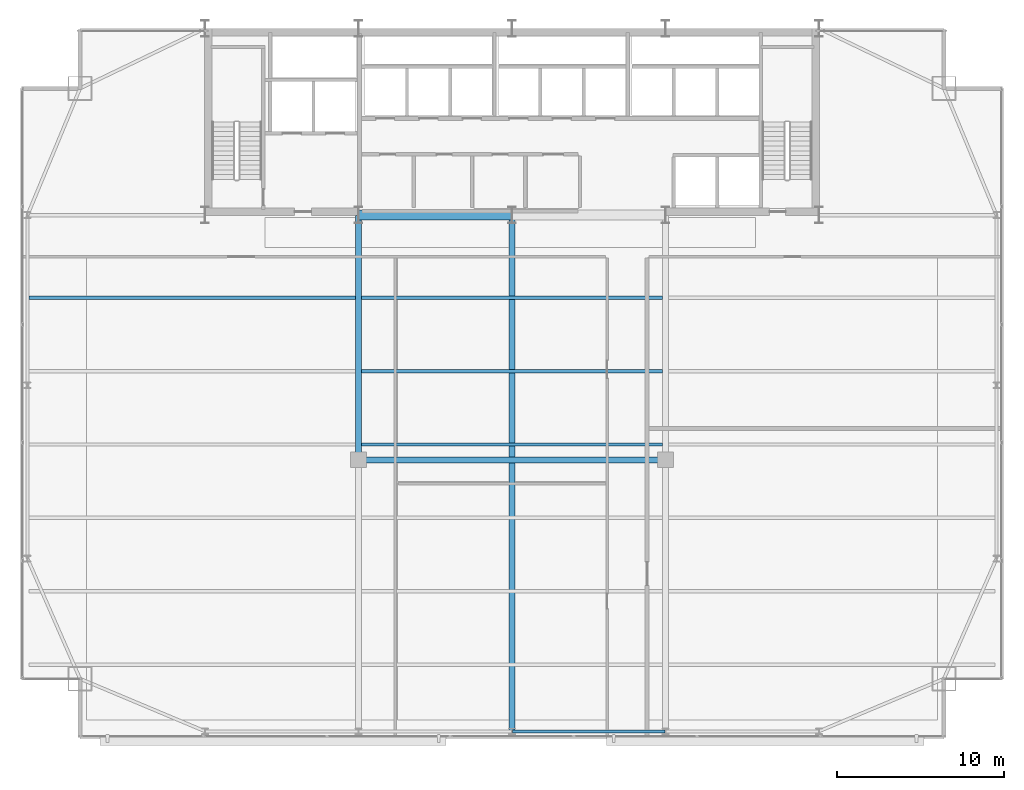
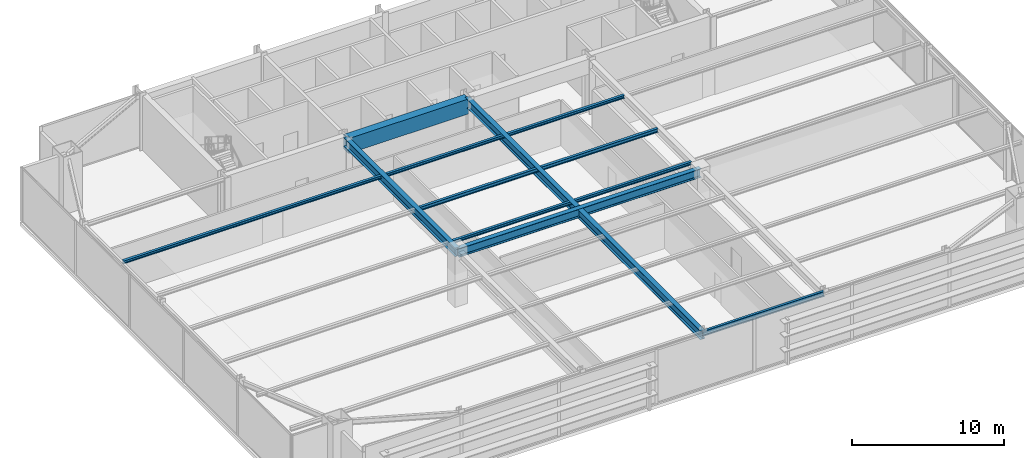
# One storey, part 14 of 32: 9 beams.
"""IFC4 building model written with IfcOpenShell, lengths in metres."""

from ifc_helpers import new_model, si_unit, direction, frame, origin, origin_2d, place, context, subcontext, project, spatial, rectangle, i_section, extrude, source, transform, mapped, material, material_profile, profile_set, type_object, type_shapes, element, save


model = new_model("IFC4")

# Units and contexts
model_context = context("Model", 3, precision=1e-05, world=origin(), true_north=direction((0.0, 1.0)))
body_context = subcontext(model_context, "Body", "Model", "MODEL_VIEW")
ifc_project = project(units=[si_unit("LENGTHUNIT", "METRE"), si_unit("AREAUNIT", "SQUARE_METRE"), si_unit("VOLUMEUNIT", "CUBIC_METRE"), si_unit("PLANEANGLEUNIT", "RADIAN"), si_unit("MASSUNIT", "GRAM", prefix="KILO")], contexts=[model_context])

# Site, building, storey
site_placement = place(None, origin())
site = spatial("IfcSite", under=ifc_project, at=site_placement, CompositionType="ELEMENT")
building_placement = place(site_placement, origin())
building = spatial("IfcBuilding", under=site, at=building_placement, Name="Varnel Quay Broadcast Tower", CompositionType="ELEMENT")
storey_placement = place(building_placement, frame((0.0, 0.0, 98.39990234375)))
storey = spatial("IfcBuildingStorey", under=building, at=storey_placement, Name="L23", CompositionType="ELEMENT", Elevation=98.39990234375)

# Beams
ifc_material_1 = material(Name="Structural Steel CSA G40.21 350W", Category="steel")
ifc_material_profile_1 = material_profile(ifc_material_1, i_section(OverallWidth=0.180908203125, OverallDepth=0.4169921875, WebThickness=0.010986328125, FlangeThickness=0.018310546875, FilletRadius=0.011962890625, at=origin_2d()), Name="W410X85")
ifc_profile_set_1 = profile_set([ifc_material_profile_1], Name="Structural Steel CSA G40.21 350W")
beam_type_1 = type_object("IfcBeamType", Name="Beam_W410X85", PredefinedType="SPANDREL", material=ifc_profile_set_1)
shared_shape_1 = source(origin(), body_context, "Body", "SweptSolid", [
    extrude(i_section(OverallWidth=0.180908203125, OverallDepth=0.4169921875, WebThickness=0.010986328125, FlangeThickness=0.018310546875, FilletRadius=0.011962890625, at=origin_2d()), origin(), (0.0, 0.0, 1.0), 9.159912109375),
])
type_shapes(beam_type_1, [shared_shape_1])
beam_1_placement = place(storey_placement, frame((34.02001953125, 4.64990234375, 4.1416015625), z_axis=(1.0, 0.0, 0.0), x_axis=(0.0, 1.0, 0.0)))
element("IfcBeam", 1, at=beam_1_placement, inside=storey, type_object=beam_type_1, Name="L23 South Spandrel TC-S3-TC-S4", PredefinedType="SPANDREL", context=body_context, shape_type="MappedRepresentation", body=[
    mapped(shared_shape_1, transform((0.0, 0.0, 0.0), x_axis=(1.0, 0.0, 0.0), y_axis=(0.0, 1.0, 0.0), z_axis=(0.0, 0.0, 1.0), scale=1.0)),
])
ifc_material_2 = material(Name="Concrete CSA A23.3 C60/75", Category="concrete")
ifc_material_profile_2 = material_profile(ifc_material_2, rectangle(XDim=0.60009765625, YDim=1.199951171875, at=origin_2d()), Name="RC600X1200")
ifc_profile_set_2 = profile_set([ifc_material_profile_2], Name="Concrete CSA A23.3 C60/75")
beam_type_2 = type_object("IfcBeamType", Name="Beam_RC600X1200", PredefinedType="BEAM", material=ifc_profile_set_2)
shared_shape_2 = source(origin(), body_context, "Body", "SweptSolid", [
    extrude(rectangle(XDim=0.60009765625, YDim=1.199951171875, at=origin_2d()), origin(), (0.0, 0.0, 1.0), 9.159912109375),
])
type_shapes(beam_type_2, [shared_shape_2])
beam_2_placement = place(storey_placement, frame((24.820068359375, 35.60009765625, 3.75), z_axis=(1.0, 0.0, 0.0), x_axis=(0.0, 1.0, 0.0)))
element("IfcBeam", 2, at=beam_2_placement, inside=storey, type_object=beam_type_2, Name="L23 Core Coupling Beam W", PredefinedType="BEAM", context=body_context, shape_type="MappedRepresentation", body=[
    mapped(shared_shape_2, transform((0.0, 0.0, 0.0), x_axis=(1.0, 0.0, 0.0), y_axis=(0.0, 1.0, 0.0), z_axis=(0.0, 0.0, 1.0), scale=1.0)),
])
ifc_material_profile_3 = material_profile(ifc_material_1, i_section(OverallWidth=0.35498046875, OverallDepth=0.695068359375, WebThickness=0.015380859375, FlangeThickness=0.02490234375, FilletRadius=0.01806640625, at=origin_2d()), Name="W690X217")
ifc_profile_set_3 = profile_set([ifc_material_profile_3], Name="Structural Steel CSA G40.21 350W")
beam_type_3 = type_object("IfcBeamType", Name="Girder_W690X217", PredefinedType="BEAM", material=ifc_profile_set_3)
shared_shape_3 = source(origin(), body_context, "Body", "SweptSolid", [
    extrude(i_section(OverallWidth=0.35498046875, OverallDepth=0.695068359375, WebThickness=0.015380859375, FlangeThickness=0.02490234375, FilletRadius=0.01806640625, at=origin_2d()), origin(), (0.0, 0.0, 1.0), 14.630126953125),
])
beam_3_placement = place(storey_placement, frame((24.800048828125, 20.949951171875, 4.002685546875), z_axis=(0.0, 1.0, 0.0), x_axis=(-1.0, 0.0, 0.0)))
element("IfcBeam", 3, at=beam_3_placement, inside=storey, type_object=beam_type_3, Name="L23 Primary Girder IC-01-CC-S2", PredefinedType="BEAM", context=body_context, shape_type="MappedRepresentation", body=[
    mapped(shared_shape_3, transform((0.0, 0.0, 0.0), x_axis=(1.0, 0.0, 0.0), y_axis=(0.0, 1.0, 0.0), z_axis=(0.0, 0.0, 1.0), scale=1.0)),
])
shared_shape_4 = source(origin(), body_context, "Body", "SweptSolid", [
    extrude(i_section(OverallWidth=0.35498046875, OverallDepth=0.695068359375, WebThickness=0.015380859375, FlangeThickness=0.02490234375, FilletRadius=0.01806640625, at=origin_2d()), origin(), (0.0, 0.0, 1.0), 18.35986328125),
])
beam_4_placement = place(storey_placement, frame((24.820068359375, 20.929931640625, 4.002685546875), z_axis=(1.0, 0.0, 0.0), x_axis=(0.0, 1.0, 0.0)))
element("IfcBeam", 4, at=beam_4_placement, inside=storey, type_object=beam_type_3, Name="L23 Interior Spine Girder", PredefinedType="BEAM", context=body_context, shape_type="MappedRepresentation", body=[
    mapped(shared_shape_4, transform((0.0, 0.0, 0.0), x_axis=(1.0, 0.0, 0.0), y_axis=(0.0, 1.0, 0.0), z_axis=(0.0, 0.0, 1.0), scale=1.0)),
])
shared_shape_5 = source(origin(), body_context, "Body", "SweptSolid", [
    extrude(i_section(OverallWidth=0.35498046875, OverallDepth=0.695068359375, WebThickness=0.015380859375, FlangeThickness=0.02490234375, FilletRadius=0.01806640625, at=origin_2d()), origin(), (0.0, 0.0, 1.0), 30.91015625),
])
type_shapes(beam_type_3, [shared_shape_3, shared_shape_4, shared_shape_5])
beam_5_placement = place(storey_placement, frame((34.0, 4.669921875, 4.002685546875), z_axis=(0.0, 1.0, 0.0), x_axis=(-1.0, 0.0, 0.0)))
element("IfcBeam", 5, at=beam_5_placement, inside=storey, type_object=beam_type_3, Name="L23 Central Bay Girder", PredefinedType="BEAM", context=body_context, shape_type="MappedRepresentation", body=[
    mapped(shared_shape_5, transform((0.0, 0.0, 0.0), x_axis=(1.0, 0.0, 0.0), y_axis=(0.0, 1.0, 0.0), z_axis=(0.0, 0.0, 1.0), scale=1.0)),
])
ifc_material_profile_4 = material_profile(ifc_material_1, i_section(OverallWidth=0.202880859375, OverallDepth=0.302978515625, WebThickness=0.007568359375, FlangeThickness=0.01318359375, FilletRadius=0.011962890625, at=origin_2d()), Name="W310X60")
ifc_profile_set_4 = profile_set([ifc_material_profile_4], Name="Structural Steel CSA G40.21 350W")
beam_type_4 = type_object("IfcBeamType", Name="Beam_W310X60", PredefinedType="JOIST", material=ifc_profile_set_4)
shared_shape_6 = source(origin(), body_context, "Body", "SweptSolid", [
    extrude(i_section(OverallWidth=0.202880859375, OverallDepth=0.302978515625, WebThickness=0.007568359375, FlangeThickness=0.01318359375, FilletRadius=0.011962890625, at=origin_2d()), origin(), (0.0, 0.0, 1.0), 18.05517578125),
])
type_shapes(beam_type_4, [shared_shape_6])
beam_6_placement = place(storey_placement, frame((24.972412109375, 26.25, 4.198486328125), z_axis=(1.0, 0.0, 0.0), x_axis=(0.0, 1.0, 0.0)))
element("IfcBeam", 6, at=beam_6_placement, inside=storey, type_object=beam_type_4, Name="L23 Central Floor Joist 5", PredefinedType="JOIST", context=body_context, shape_type="MappedRepresentation", body=[
    mapped(shared_shape_6, transform((0.0, 0.0, 0.0), x_axis=(1.0, 0.0, 0.0), y_axis=(0.0, 1.0, 0.0), z_axis=(0.0, 0.0, 1.0), scale=1.0)),
])
ifc_material_profile_5 = material_profile(ifc_material_1, i_section(OverallWidth=0.201904296875, OverallDepth=0.2470703125, WebThickness=0.00732421875, FlangeThickness=0.010986328125, FilletRadius=0.010986328125, at=origin_2d()), Name="W250X49")
ifc_profile_set_5 = profile_set([ifc_material_profile_5], Name="Structural Steel CSA G40.21 350W")
beam_type_5 = type_object("IfcBeamType", Name="Beam_W250X49", PredefinedType="JOIST", material=ifc_profile_set_5)
shared_shape_7 = source(origin(), body_context, "Body", "SweptSolid", [
    extrude(i_section(OverallWidth=0.201904296875, OverallDepth=0.2470703125, WebThickness=0.00732421875, FlangeThickness=0.010986328125, FilletRadius=0.010986328125, at=origin_2d()), origin(), (0.0, 0.0, 1.0), 19.592041015625),
])
beam_7_placement = place(storey_placement, frame((5.035400390625, 30.64990234375, 4.2265625), z_axis=(1.0, 0.0, 0.0), x_axis=(0.0, 1.0, 0.0)))
element("IfcBeam", 7, at=beam_7_placement, inside=storey, type_object=beam_type_5, Name="L23 West Floor Joist 6", PredefinedType="JOIST", context=body_context, shape_type="MappedRepresentation", body=[
    mapped(shared_shape_7, transform((0.0, 0.0, 0.0), x_axis=(1.0, 0.0, 0.0), y_axis=(0.0, 1.0, 0.0), z_axis=(0.0, 0.0, 1.0), scale=1.0)),
])
shared_shape_8 = source(origin(), body_context, "Body", "SweptSolid", [
    extrude(i_section(OverallWidth=0.201904296875, OverallDepth=0.2470703125, WebThickness=0.00732421875, FlangeThickness=0.010986328125, FilletRadius=0.010986328125, at=origin_2d()), origin(), (0.0, 0.0, 1.0), 18.05517578125),
])
type_shapes(beam_type_5, [shared_shape_7, shared_shape_8])
for number, where, z_axis, x_axis, name in (
    (8, (24.972412109375, 21.85009765625, 4.2265625), (1.0, 0.0, 0.0), (0.0, 1.0, 0.0), "L23 Central Floor Joist 4"),
    (9, (24.972412109375, 30.64990234375, 4.2265625), (1.0, 0.0, 0.0), (0.0, 1.0, 0.0), "L23 Central Floor Joist 6"),
):
    element("IfcBeam", number, at=place(storey_placement, frame(where, z_axis=z_axis, x_axis=x_axis)), inside=storey, type_object=beam_type_5, Name=name, PredefinedType="JOIST", context=body_context, shape_type="MappedRepresentation", body=[
        mapped(shared_shape_8, transform((0.0, 0.0, 0.0), x_axis=(1.0, 0.0, 0.0), y_axis=(0.0, 1.0, 0.0), z_axis=(0.0, 0.0, 1.0), scale=1.0)),
    ])

save(model, "model.ifc")
